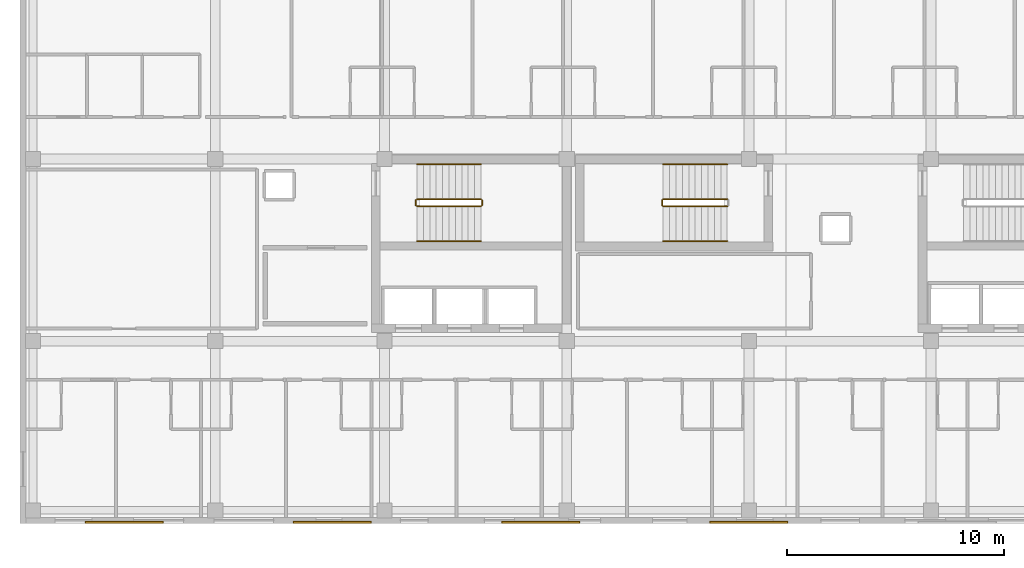
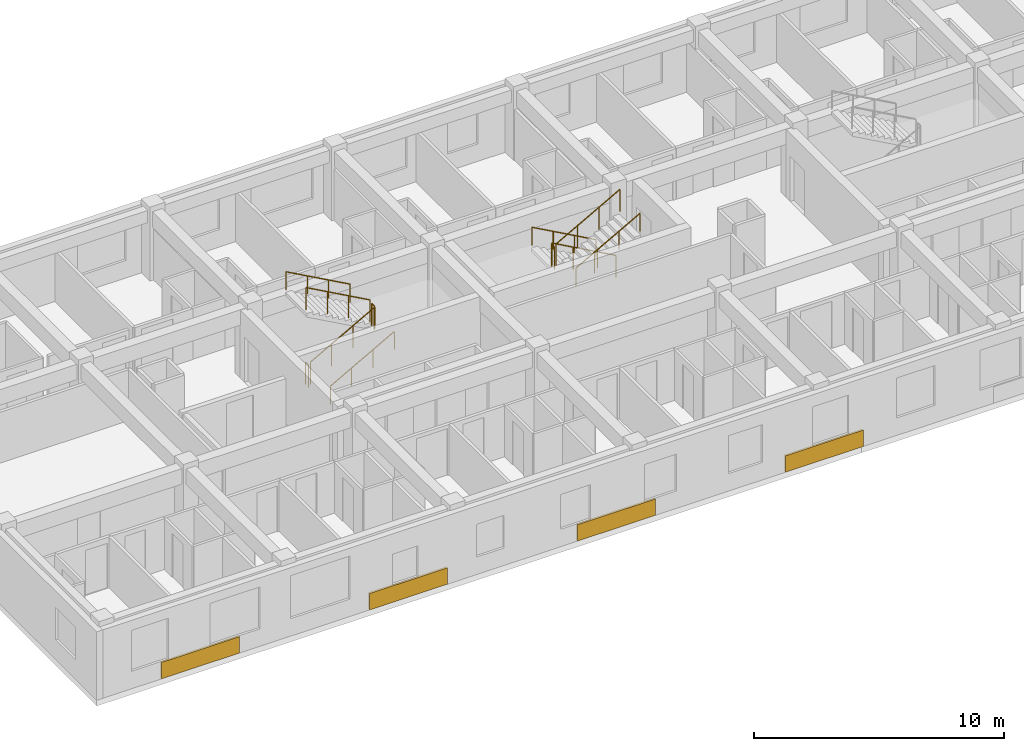
# One storey, part 9 of 10: 11 railings, 4 coverings.
"""IFC4 building model written with IfcOpenShell, lengths in metres."""

import ifcopenshell
import ifcopenshell.guid

model = None  # the IFC model being written
_history = None  # IfcOwnerHistory: only IFC2X3 demands one
_inside = {}  # id of a spatial element -> (the spatial element, [elements in it])
_under = {}  # id of a project, library or spatial element -> (it, [spatial elements below it])
_declared = {}  # id of a project -> (the project, [libraries it declares])
_typed = {}  # id of a type object -> (the type object, [elements of that type])
_made_of = {}  # id of a material, layer set ... -> (it, [elements and type objects made of it])


def new_model(schema):
    """Start an empty IFC model of exactly this schema.

    Asked for "IFC4X3", IfcOpenShell would pick the latest addendum, in which some entities
    have other attributes; the version numbers below select the first issue.
    IFC2X3 requires an IfcOwnerHistory on every rooted entity: one is made here for all.
    """
    global model, _history
    if schema == "IFC4X3":
        model = ifcopenshell.file(schema_version=(4, 3, 0, 0))
    else:
        model = ifcopenshell.file(schema=schema)
    _inside.clear()
    _under.clear()
    _declared.clear()
    _typed.clear()
    _made_of.clear()
    _history = None
    if model.schema == "IFC2X3":
        org = make("IfcOrganization", Name="unknown")
        user = make(
            "IfcPersonAndOrganization",
            ThePerson=make("IfcPerson", FamilyName="unknown"),
            TheOrganization=org,
        )
        app = make(
            "IfcApplication",
            ApplicationDeveloper=org,
            Version="unknown",
            ApplicationFullName="unknown",
            ApplicationIdentifier="unknown",
        )
        _history = make(
            "IfcOwnerHistory",
            OwningUser=user,
            OwningApplication=app,
            ChangeAction="ADDED",
            CreationDate=0,
        )
    return model


def make(cls, **values):
    """One entity of the class cls with the attributes given. An attribute that is None is left unset."""
    return model.create_entity(
        cls, **{name: value for name, value in values.items() if value is not None}
    )


def rooted(cls, **values):
    """An entity with a GlobalId (a new one), such as an element, a storey or a relation."""
    return make(cls, GlobalId=ifcopenshell.guid.new(), OwnerHistory=_history, **values)


def si_unit(unit_type, name, prefix=None):
    """IfcSIUnit, for example si_unit("LENGTHUNIT", "METRE", prefix="MILLI")."""
    return make("IfcSIUnit", UnitType=unit_type, Prefix=prefix, Name=name)


def assignment(units):
    """IfcUnitAssignment: the units of a project."""
    return None if units is None else make("IfcUnitAssignment", Units=units)


def point(xyz):
    """IfcCartesianPoint."""
    return None if xyz is None else make("IfcCartesianPoint", Coordinates=xyz)


def direction(xyz):
    """IfcDirection."""
    return None if xyz is None else make("IfcDirection", DirectionRatios=xyz)


def frame(location, z_axis=None, x_axis=None):
    """IfcAxis2Placement3D, a coordinate frame: its origin and axes. An axis left out is left unset."""
    return make(
        "IfcAxis2Placement3D",
        Location=point(location),
        Axis=direction(z_axis),
        RefDirection=direction(x_axis),
    )


def frame_2d(location, x_axis=None):
    """IfcAxis2Placement2D, a coordinate frame in the plane: its origin and x axis."""
    return make(
        "IfcAxis2Placement2D", Location=point(location), RefDirection=direction(x_axis)
    )


def origin():
    """The frame at (0, 0, 0) with its axes left unset."""
    return frame((0.0, 0.0, 0.0))


def origin_2d():
    """The frame at (0, 0) in the plane with its x axis left unset."""
    return frame_2d((0.0, 0.0))


def place(relative_to, where):
    """IfcLocalPlacement: puts the frame where relative to a parent placement (None: the world)."""
    return make(
        "IfcLocalPlacement", PlacementRelTo=relative_to, RelativePlacement=where
    )


def context(
    kind, dimensions, precision=None, world=None, true_north=None, identifier=None
):
    """IfcGeometricRepresentationContext, for example the 3D "Model" context."""
    return make(
        "IfcGeometricRepresentationContext",
        ContextIdentifier=identifier,
        ContextType=kind,
        CoordinateSpaceDimension=dimensions,
        Precision=precision,
        WorldCoordinateSystem=world,
        TrueNorth=true_north,
    )


def subcontext(parent, identifier, kind, view, scale=None):
    """IfcGeometricRepresentationSubContext, for example "Body" below "Model"."""
    return make(
        "IfcGeometricRepresentationSubContext",
        ContextIdentifier=identifier,
        ContextType=kind,
        ParentContext=parent,
        TargetScale=scale,
        TargetView=view,
    )


def project(units=None, contexts=None):
    """IfcProject with its units and contexts."""
    return rooted(
        "IfcProject",
        Name="project",
        RepresentationContexts=contexts,
        UnitsInContext=assignment(units),
    )


def spatial(cls, under=None, at=None, **own):
    """A site, building, storey or space (cls), placed at a placement, below another one or the project."""
    s = rooted(cls, ObjectPlacement=at, **own)
    if under is not None:
        _under.setdefault(under.id(), (under, []))[1].append(s)
    return s


def profile(cls, at=None, kind="AREA", **sizes):
    """A parametric profile (cls). Its sizes go by their IFC names, for example OverallWidth=200.0."""
    return make(cls, ProfileType=kind, Position=at, **sizes)


def rectangle(**sizes):
    """IfcRectangleProfileDef."""
    return profile("IfcRectangleProfileDef", **sizes)


def circle(**sizes):
    """IfcCircleProfileDef."""
    return profile("IfcCircleProfileDef", **sizes)


def extrude(swept, where, along, depth):
    """IfcExtrudedAreaSolid: the profile swept, set in the frame where, extruded along a direction by depth."""
    return make(
        "IfcExtrudedAreaSolid",
        SweptArea=swept,
        Position=where,
        ExtrudedDirection=direction(along),
        Depth=depth,
    )


def shape(context_of_items, identifier, shape_type, items):
    """IfcShapeRepresentation: the items that make up one representation, for example the "Body"."""
    return make(
        "IfcShapeRepresentation",
        ContextOfItems=context_of_items,
        RepresentationIdentifier=identifier,
        RepresentationType=shape_type,
        Items=items,
    )


def material(Name=None, Category=None):
    """IfcMaterial."""
    return make("IfcMaterial", Name=Name, Category=Category)


def layer(
    of_material, thickness, ventilated=None, Name=None, Category=None, Priority=None
):
    """IfcMaterialLayer: one layer of a wall or slab, of a material (None: an air gap)."""
    return make(
        "IfcMaterialLayer",
        Material=of_material,
        LayerThickness=thickness,
        IsVentilated=ventilated,
        Name=Name,
        Category=Category,
        Priority=Priority,
    )


def layer_set(layers, Name=None):
    """IfcMaterialLayerSet."""
    return make("IfcMaterialLayerSet", MaterialLayers=layers, LayerSetName=Name)


def made_of(thing, what):
    """Note that an element or type object is made of a material, layer set ...; save() writes the relation."""
    if what is not None:
        _made_of.setdefault(what.id(), (what, []))[1].append(thing)
    return thing


def type_object(cls, material=None, **own):
    """A type object (cls), such as IfcWallType, which elements share."""
    return made_of(rooted(cls, **own), material)


def element(
    cls,
    number,
    at=None,
    inside=None,
    cuts=None,
    type_object=None,
    material=None,
    context=None,
    identifier="Body",
    shape_type=None,
    held_by="IfcProductDefinitionShape",
    body=None,
    shapes=None,
    **own,
):
    """One element of the class cls, such as IfcWall. Its Tag is "e" and its number.

    at: its placement. inside: the storey or other place that contains it. cuts: it is an
    opening in that element (IfcRelVoidsElement). A single representation is given by context,
    identifier, shape_type and body (its items); several are given by shapes. held_by: the class
    of the entity that holds the representations. save() writes the other relations.
    """
    e = rooted(cls, Tag="e%d" % number, ObjectPlacement=at, **own)
    if body is not None:
        shapes = [shape(context, identifier, shape_type, body)]
    if shapes is not None:
        e.Representation = make(held_by, Representations=shapes)
    if inside is not None:
        _inside.setdefault(inside.id(), (inside, []))[1].append(e)
    if cuts is not None:
        rooted(
            "IfcRelVoidsElement", RelatingBuildingElement=cuts, RelatedOpeningElement=e
        )
    if type_object is not None:
        _typed.setdefault(type_object.id(), (type_object, []))[1].append(e)
    return made_of(e, material)


def aggregate(whole, parts):
    """IfcRelAggregates: a whole, such as a stair, and the parts it consists of."""
    return rooted("IfcRelAggregates", RelatingObject=whole, RelatedObjects=parts)


def save(model, path):
    """Write the relations noted so far, then the file.

    IfcRelAggregates (storeys below a building ...), IfcRelContainedInSpatialStructure (elements
    in a storey), IfcRelDefinesByType, IfcRelAssociatesMaterial and IfcRelDeclares: one each for
    every whole, place, type object, material and project.
    """
    for whole, parts in _under.values():
        aggregate(whole, parts)
    for where, things in _inside.values():
        rooted(
            "IfcRelContainedInSpatialStructure",
            RelatedElements=things,
            RelatingStructure=where,
        )
    for kind, things in _typed.values():
        rooted("IfcRelDefinesByType", RelatedObjects=things, RelatingType=kind)
    for what, things in _made_of.values():
        rooted("IfcRelAssociatesMaterial", RelatedObjects=things, RelatingMaterial=what)
    for by, libraries in _declared.values():
        rooted("IfcRelDeclares", RelatingContext=by, RelatedDefinitions=libraries)
    model.write(path)


model = new_model("IFC4")

# Units and contexts
model_context = context("Model", 3, precision=1e-05, world=origin(), true_north=direction((0.0, 1.0)))
body_context = subcontext(model_context, "Body", "Model", "MODEL_VIEW")
ifc_project = project(units=[si_unit("LENGTHUNIT", "METRE"), si_unit("AREAUNIT", "SQUARE_METRE"), si_unit("VOLUMEUNIT", "CUBIC_METRE"), si_unit("PLANEANGLEUNIT", "RADIAN"), si_unit("MASSUNIT", "GRAM", prefix="KILO")], contexts=[model_context])

# Site, building, storey
site_placement = place(None, origin())
site = spatial("IfcSite", under=ifc_project, at=site_placement, CompositionType="ELEMENT")
building_placement = place(site_placement, origin())
building = spatial("IfcBuilding", under=site, at=building_placement, Name="Zayran Congress Hotel", CompositionType="ELEMENT")
storey_placement = place(building_placement, frame((0.0, 0.0, 30.0)))
storey = spatial("IfcBuildingStorey", under=building, at=storey_placement, Name="L07", CompositionType="ELEMENT", Elevation=30.0)

# Coverings
ifc_material_1 = material(Name="Ochre geometric bas-relief Hajar Ma'ani stone", Category="masonry")
ifc_layer = layer(ifc_material_1, 0.090087890625)
ifc_layer_set = layer_set([ifc_layer], Name="Ochre geometric bas-relief Hajar Ma'ani stone")
covering_type = type_object("IfcCoveringType", Name="TP-CLD-01", PredefinedType="CLADDING", material=ifc_layer_set)
for number, where, z_axis, x_axis, name in (
    (1, (13.199951171875, 8.844970703125, 0.0), (0.0, 0.0, 1.0), (1.0, 0.0, 0.0), "CLD-V5S-L07-0"),
    (2, (22.800048828125, 8.844970703125, 0.0), (0.0, 0.0, 1.0), (1.0, 0.0, 0.0), "CLD-V5S-L07-1"),
    (3, (32.39990234375, 8.844970703125, 0.0), (0.0, 0.0, 1.0), (1.0, 0.0, 0.0), "CLD-V5S-L07-2"),
    (4, (42.0, 8.844970703125, 0.0), (0.0, 0.0, 1.0), (1.0, 0.0, 0.0), "CLD-V5S-L07-3"),
):
    element("IfcCovering", number, at=place(storey_placement, frame(where, z_axis=z_axis, x_axis=x_axis)), inside=storey, type_object=covering_type, Name=name, PredefinedType="CLADDING", context=body_context, shape_type="SweptSolid", body=[
        extrude(rectangle(XDim=3.60009765625, YDim=0.090087890625, at=origin_2d()), origin(), (0.0, 0.0, 1.0), 0.800048828125),
    ])

# Railings
ifc_material_2 = material(Name="Painted steel balustrade", Category="steel")
railing_type_1 = type_object("IfcRailingType", Name="TP-GRD-INT", PredefinedType="GUARDRAIL", material=ifc_material_2)
railing_1_placement = place(storey_placement, frame((26.699951171875, 23.409912109375, 0.16357421875)))
element("IfcRailing", 5, at=railing_1_placement, inside=storey, type_object=railing_type_1, Name="L07 ST-01 stair guard 1", PredefinedType="GUARDRAIL", context=body_context, shape_type="SweptSolid", body=[
    extrude(circle(Radius=0.02392578125, at=origin_2d()), frame((0.0, 0.0, 1.076171875), z_axis=(0.874457516365, 0.0, 0.485102104791), x_axis=(0.0, 1.0, 0.0)), (0.0, 0.0, 1.0), 3.37353515625),
    extrude(circle(Radius=0.02099609375, at=origin_2d()), origin(), (0.0, 0.0, 1.0), 1.052001953125),
    extrude(circle(Radius=0.02099609375, at=origin_2d()), frame((0.9833984375, 0.0, 0.54541015625)), (0.0, 0.0, 1.0), 1.052001953125),
    extrude(circle(Radius=0.02099609375, at=origin_2d()), frame((1.966552734375, 0.0, 1.091064453125)), (0.0, 0.0, 1.0), 1.052001953125),
    extrude(circle(Radius=0.02099609375, at=origin_2d()), frame((2.949951171875, 0.0, 1.636474609375)), (0.0, 0.0, 1.0), 1.052001953125),
])
railing_2_placement = place(storey_placement, frame((29.699951171875, 23.4599609375, 1.800048828125)))
element("IfcRailing", 6, at=railing_2_placement, inside=storey, type_object=railing_type_1, Name="L07 ST-01 stair guard 2", PredefinedType="GUARDRAIL", context=body_context, shape_type="SweptSolid", body=[
    extrude(circle(Radius=0.02392578125, at=origin_2d()), frame((0.0, 0.0, 1.076171875), z_axis=(0.0, 1.0, 0.0), x_axis=(-1.0, 0.0, 0.0)), (0.0, 0.0, 1.0), 0.239990234375),
    extrude(circle(Radius=0.02099609375, at=origin_2d()), origin(), (0.0, 0.0, 1.0), 1.052001953125),
    extrude(circle(Radius=0.02099609375, at=origin_2d()), frame((0.0, 0.239990234375, 0.0)), (0.0, 0.0, 1.0), 1.052001953125),
])
railing_3_placement = place(storey_placement, frame((29.64990234375, 23.75, 1.963623046875)))
element("IfcRailing", 7, at=railing_3_placement, inside=storey, type_object=railing_type_1, Name="L07 ST-01 stair guard 3", PredefinedType="GUARDRAIL", context=body_context, shape_type="SweptSolid", body=[
    extrude(circle(Radius=0.02392578125, at=origin_2d()), frame((0.0, 0.0, 1.076171875), z_axis=(-0.874457516365, 0.0, 0.485102104791), x_axis=(0.0, -1.0, 0.0)), (0.0, 0.0, 1.0), 3.37353515625),
    extrude(circle(Radius=0.02099609375, at=origin_2d()), origin(), (0.0, 0.0, 1.0), 1.052001953125),
    extrude(circle(Radius=0.02099609375, at=origin_2d()), frame((-0.9833984375, 0.0, 0.54541015625)), (0.0, 0.0, 1.0), 1.052001953125),
    extrude(circle(Radius=0.02099609375, at=origin_2d()), frame((-1.966552734375, 0.0, 1.091064453125)), (0.0, 0.0, 1.0), 1.052001953125),
    extrude(circle(Radius=0.02099609375, at=origin_2d()), frame((-2.949951171875, 0.0, 1.636474609375)), (0.0, 0.0, 1.0), 1.052001953125),
])
railing_4_placement = place(storey_placement, frame((26.64990234375, 23.4599609375, 0.0)))
element("IfcRailing", 8, at=railing_4_placement, inside=storey, type_object=railing_type_1, Name="L07 ST-01 stair guard 4", PredefinedType="GUARDRAIL", context=body_context, shape_type="SweptSolid", body=[
    extrude(circle(Radius=0.02392578125, at=origin_2d()), frame((0.0, 0.0, 1.076171875), z_axis=(0.0, 1.0, 0.0), x_axis=(-1.0, 0.0, 0.0)), (0.0, 0.0, 1.0), 0.239990234375),
    extrude(circle(Radius=0.02099609375, at=origin_2d()), origin(), (0.0, 0.0, 1.0), 1.052001953125),
    extrude(circle(Radius=0.02099609375, at=origin_2d()), frame((0.0, 0.239990234375, 0.0)), (0.0, 0.0, 1.0), 1.052001953125),
])
railing_5_placement = place(storey_placement, frame((41.0, 23.75, 0.16357421875)))
element("IfcRailing", 9, at=railing_5_placement, inside=storey, type_object=railing_type_1, Name="L07 ST-13 stair guard 1", PredefinedType="GUARDRAIL", context=body_context, shape_type="SweptSolid", body=[
    extrude(circle(Radius=0.02392578125, at=origin_2d()), frame((0.0, 0.0, 1.076171875), z_axis=(-0.874457516365, 0.0, 0.485102104791), x_axis=(0.0, -1.0, 0.0)), (0.0, 0.0, 1.0), 3.37353515625),
    extrude(circle(Radius=0.02099609375, at=origin_2d()), origin(), (0.0, 0.0, 1.0), 1.052001953125),
    extrude(circle(Radius=0.02099609375, at=origin_2d()), frame((-0.9833984375, 0.0, 0.54541015625)), (0.0, 0.0, 1.0), 1.052001953125),
    extrude(circle(Radius=0.02099609375, at=origin_2d()), frame((-1.966552734375, 0.0, 1.091064453125)), (0.0, 0.0, 1.0), 1.052001953125),
    extrude(circle(Radius=0.02099609375, at=origin_2d()), frame((-2.949951171875, 0.0, 1.636474609375)), (0.0, 0.0, 1.0), 1.052001953125),
])
railing_6_placement = place(storey_placement, frame((38.0, 23.699951171875, 1.800048828125)))
element("IfcRailing", 10, at=railing_6_placement, inside=storey, type_object=railing_type_1, Name="L07 ST-13 stair guard 2", PredefinedType="GUARDRAIL", context=body_context, shape_type="SweptSolid", body=[
    extrude(circle(Radius=0.02392578125, at=origin_2d()), frame((0.0, 0.0, 1.076171875), z_axis=(0.0, -1.0, 0.0), x_axis=(1.0, 0.0, 0.0)), (0.0, 0.0, 1.0), 0.239990234375),
    extrude(circle(Radius=0.02099609375, at=origin_2d()), origin(), (0.0, 0.0, 1.0), 1.052001953125),
    extrude(circle(Radius=0.02099609375, at=origin_2d()), frame((0.0, -0.239990234375, 0.0)), (0.0, 0.0, 1.0), 1.052001953125),
])
railing_7_placement = place(storey_placement, frame((38.050048828125, 23.409912109375, 1.963623046875)))
element("IfcRailing", 11, at=railing_7_placement, inside=storey, type_object=railing_type_1, Name="L07 ST-13 stair guard 3", PredefinedType="GUARDRAIL", context=body_context, shape_type="SweptSolid", body=[
    extrude(circle(Radius=0.02392578125, at=origin_2d()), frame((0.0, 0.0, 1.076171875), z_axis=(0.874457516365, 0.0, 0.485102104791), x_axis=(0.0, 1.0, 0.0)), (0.0, 0.0, 1.0), 3.37353515625),
    extrude(circle(Radius=0.02099609375, at=origin_2d()), origin(), (0.0, 0.0, 1.0), 1.052001953125),
    extrude(circle(Radius=0.02099609375, at=origin_2d()), frame((0.9833984375, 0.0, 0.54541015625)), (0.0, 0.0, 1.0), 1.052001953125),
    extrude(circle(Radius=0.02099609375, at=origin_2d()), frame((1.966552734375, 0.0, 1.091064453125)), (0.0, 0.0, 1.0), 1.052001953125),
    extrude(circle(Radius=0.02099609375, at=origin_2d()), frame((2.949951171875, 0.0, 1.636474609375)), (0.0, 0.0, 1.0), 1.052001953125),
])
ifc_material_3 = material(Name="Brushed stainless steel handrail", Category="steel")
railing_type_2 = type_object("IfcRailingType", Name="TP-HND-STR", PredefinedType="HANDRAIL", material=ifc_material_3)
railing_8_placement = place(storey_placement, frame((26.699951171875, 21.81005859375, 0.16357421875)))
element("IfcRailing", 12, at=railing_8_placement, inside=storey, type_object=railing_type_2, Name="L07 ST-01 stair handrail 1", PredefinedType="HANDRAIL", context=body_context, shape_type="SweptSolid", body=[
    extrude(circle(Radius=0.02392578125, at=origin_2d()), frame((0.0, 0.0, 0.8759765625), z_axis=(0.874457516365, 0.0, 0.485102104791), x_axis=(0.0, 1.0, 0.0)), (0.0, 0.0, 1.0), 3.37353515625),
    extrude(circle(Radius=0.02099609375, at=origin_2d()), origin(), (0.0, 0.0, 1.0), 0.851806640625),
    extrude(circle(Radius=0.02099609375, at=origin_2d()), frame((0.9833984375, 0.0, 0.54541015625)), (0.0, 0.0, 1.0), 0.851806640625),
    extrude(circle(Radius=0.02099609375, at=origin_2d()), frame((1.966552734375, 0.0, 1.091064453125)), (0.0, 0.0, 1.0), 0.851806640625),
    extrude(circle(Radius=0.02099609375, at=origin_2d()), frame((2.949951171875, 0.0, 1.636474609375)), (0.0, 0.0, 1.0), 0.851806640625),
])
for number, where, name in (
    (13, (29.64990234375, 25.35009765625, 1.963623046875), "L07 ST-01 stair handrail 2"),
    (14, (41.0, 25.35009765625, 0.16357421875), "L07 ST-13 stair handrail 1"),
):
    element("IfcRailing", number, at=place(storey_placement, frame(where)), inside=storey, type_object=railing_type_2, Name=name, PredefinedType="HANDRAIL", context=body_context, shape_type="SweptSolid", body=[
        extrude(circle(Radius=0.02392578125, at=origin_2d()), frame((0.0, 0.0, 0.8759765625), z_axis=(-0.874457516365, 0.0, 0.485102104791), x_axis=(0.0, -1.0, 0.0)), (0.0, 0.0, 1.0), 3.37353515625),
        extrude(circle(Radius=0.02099609375, at=origin_2d()), origin(), (0.0, 0.0, 1.0), 0.851806640625),
        extrude(circle(Radius=0.02099609375, at=origin_2d()), frame((-0.9833984375, 0.0, 0.54541015625)), (0.0, 0.0, 1.0), 0.851806640625),
        extrude(circle(Radius=0.02099609375, at=origin_2d()), frame((-1.966552734375, 0.0, 1.091064453125)), (0.0, 0.0, 1.0), 0.851806640625),
        extrude(circle(Radius=0.02099609375, at=origin_2d()), frame((-2.949951171875, 0.0, 1.636474609375)), (0.0, 0.0, 1.0), 0.851806640625),
    ])
railing_9_placement = place(storey_placement, frame((38.050048828125, 21.81005859375, 1.963623046875)))
element("IfcRailing", 15, at=railing_9_placement, inside=storey, type_object=railing_type_2, Name="L07 ST-13 stair handrail 2", PredefinedType="HANDRAIL", context=body_context, shape_type="SweptSolid", body=[
    extrude(circle(Radius=0.02392578125, at=origin_2d()), frame((0.0, 0.0, 0.8759765625), z_axis=(0.874457516365, 0.0, 0.485102104791), x_axis=(0.0, 1.0, 0.0)), (0.0, 0.0, 1.0), 3.37353515625),
    extrude(circle(Radius=0.02099609375, at=origin_2d()), origin(), (0.0, 0.0, 1.0), 0.851806640625),
    extrude(circle(Radius=0.02099609375, at=origin_2d()), frame((0.9833984375, 0.0, 0.54541015625)), (0.0, 0.0, 1.0), 0.851806640625),
    extrude(circle(Radius=0.02099609375, at=origin_2d()), frame((1.966552734375, 0.0, 1.091064453125)), (0.0, 0.0, 1.0), 0.851806640625),
    extrude(circle(Radius=0.02099609375, at=origin_2d()), frame((2.949951171875, 0.0, 1.636474609375)), (0.0, 0.0, 1.0), 0.851806640625),
])

save(model, "model.ifc")
